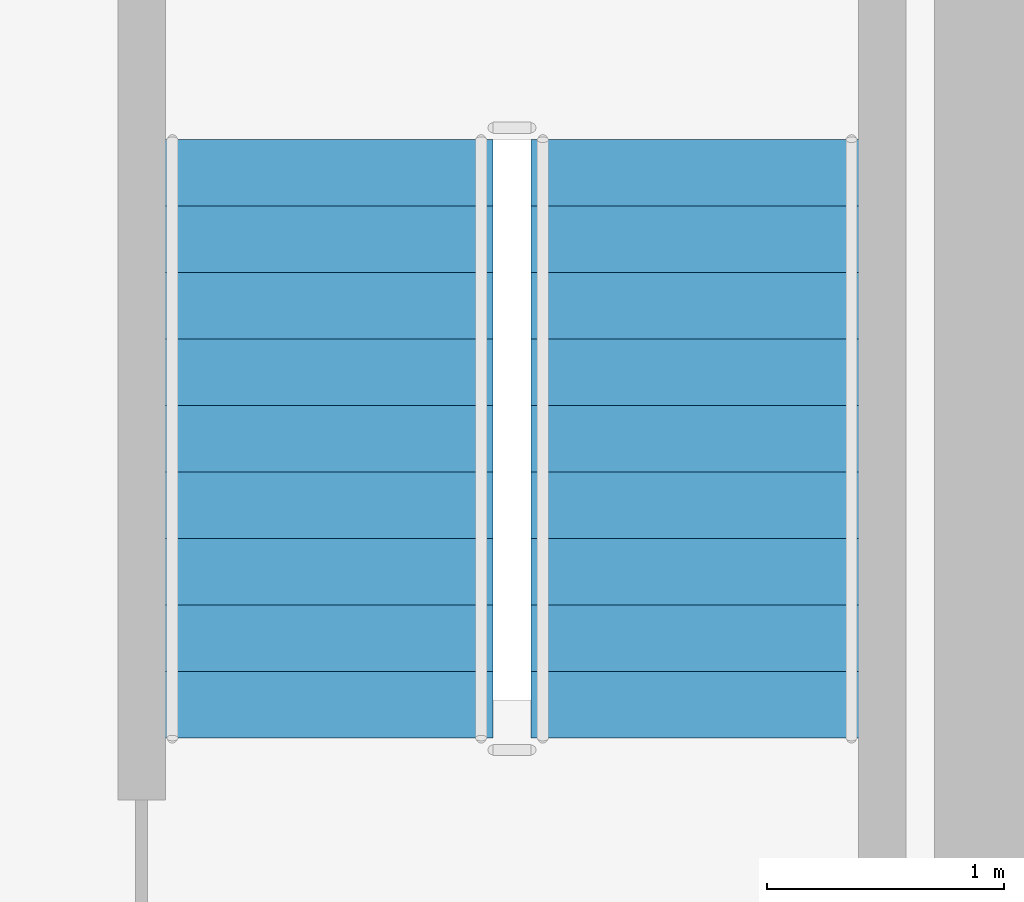
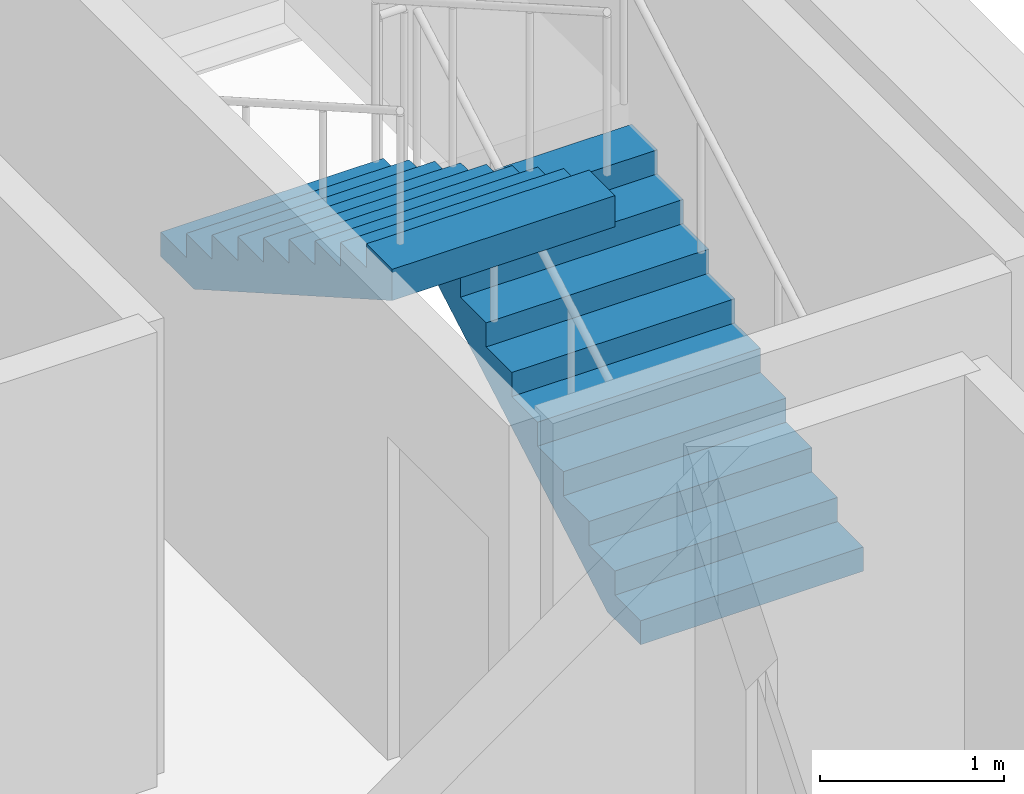
# One storey, part 7 of 11: 2 stair flights, 1 element without a shape of its own.
"""IFC4 building model written with IfcOpenShell, lengths in metres."""

from ifc_helpers import new_model, si_unit, direction, frame, origin, place, context, subcontext, project, spatial, polyline, outline, extrude, material, type_object, element, aggregate, save


model = new_model("IFC4")

# Units and contexts
model_context = context("Model", 3, precision=1e-05, world=origin(), true_north=direction((0.0, 1.0)))
body_context = subcontext(model_context, "Body", "Model", "MODEL_VIEW")
ifc_project = project(units=[si_unit("LENGTHUNIT", "METRE"), si_unit("AREAUNIT", "SQUARE_METRE"), si_unit("VOLUMEUNIT", "CUBIC_METRE"), si_unit("PLANEANGLEUNIT", "RADIAN"), si_unit("MASSUNIT", "GRAM", prefix="KILO")], contexts=[model_context])

# Site, building, storey
site_placement = place(None, origin())
site = spatial("IfcSite", under=ifc_project, at=site_placement, CompositionType="ELEMENT")
building_placement = place(site_placement, origin())
building = spatial("IfcBuilding", under=site, at=building_placement, Name="Kuzgunbayir Cultural Tower", CompositionType="ELEMENT")
storey_placement = place(building_placement, frame((0.0, 0.0, 86.60009765625)))
storey = spatial("IfcBuildingStorey", under=building, at=storey_placement, Name="L24", CompositionType="ELEMENT", Elevation=86.60009765625)

# Stair, stair flights
ifc_material = material(Name="Concrete C40/50", Category="concrete")
stair_type = type_object("IfcStairType", Name="STR-EXIT-CORE", PredefinedType="HALF_TURN_STAIR", material=ifc_material)
stair_placement = place(storey_placement, origin())
stair = element("IfcStair", 1, at=stair_placement, inside=storey, type_object=stair_type, Name="L24 ST-4", PredefinedType="HALF_TURN_STAIR")
stair_flight_type = type_object("IfcStairFlightType", Name="STRF-RC-140", PredefinedType="STRAIGHT", material=ifc_material)
stair_flight_1_placement = place(storey_placement, frame((71.10009765625, 35.5, 0.0), z_axis=(0.0, 0.0, 1.0), x_axis=(0.0, 1.0, 0.0)))
stair_flight_1 = element("IfcStairFlight", 2, at=stair_flight_1_placement, type_object=stair_flight_type, Name="ST-4 flight 1", NumberOfRisers=10, NumberOfTreads=9, PredefinedType="STRAIGHT", RiserHeight=0.16, TreadLength=0.28, context=body_context, shape_type="SweptSolid", body=[
    extrude(outline(polyline([(0.0, 0.0), (0.0, 0.159912109375), (0.280029296875, 0.159912109375), (0.280029296875, 0.320068359375), (0.56005859375, 0.320068359375), (0.56005859375, 0.47998046875), (0.840087890625, 0.47998046875), (0.840087890625, 0.639892578125), (1.1201171875, 0.639892578125), (1.1201171875, 0.800048828125), (1.39990234375, 0.800048828125), (1.39990234375, 0.9599609375), (1.679931640625, 0.9599609375), (1.679931640625, 1.1201171875), (1.9599609375, 1.1201171875), (1.9599609375, 1.280029296875), (2.239990234375, 1.280029296875), (2.239990234375, 1.43994140625), (2.52001953125, 1.43994140625), (2.52001953125, 1.60009765625), (2.52001953125, 1.232666015625), (0.362548828125, 0.0), (0.0, 0.0)])), frame((0.0, 0.699951171875, 0.0), z_axis=(0.0, -1.0, 0.0), x_axis=(1.0, 0.0, 0.0)), (0.0, 0.0, 1.0), 1.39990234375),
])
stair_flight_2_placement = place(storey_placement, frame((69.5400390625, 38.02001953125, 1.599853515625), z_axis=(0.0, 0.0, 1.0), x_axis=(0.0, -1.0, 0.0)))
stair_flight_2 = element("IfcStairFlight", 3, at=stair_flight_2_placement, type_object=stair_flight_type, Name="ST-4 flight 2", NumberOfRisers=10, NumberOfTreads=9, PredefinedType="STRAIGHT", RiserHeight=0.16, TreadLength=0.28, context=body_context, shape_type="SweptSolid", body=[
    extrude(outline(polyline([(0.0, 0.0), (0.0, 0.159912109375), (0.280029296875, 0.159912109375), (0.280029296875, 0.320068359375), (0.56005859375, 0.320068359375), (0.56005859375, 0.47998046875), (0.840087890625, 0.47998046875), (0.840087890625, 0.639892578125), (1.1201171875, 0.639892578125), (1.1201171875, 0.800048828125), (1.39990234375, 0.800048828125), (1.39990234375, 0.9599609375), (1.679931640625, 0.9599609375), (1.679931640625, 1.1201171875), (1.9599609375, 1.1201171875), (1.9599609375, 1.280029296875), (2.239990234375, 1.280029296875), (2.239990234375, 1.43994140625), (2.52001953125, 1.43994140625), (2.52001953125, 1.60009765625), (2.52001953125, 1.232666015625), (0.362548828125, 0.0), (0.0, 0.0)])), frame((0.0, 0.699951171875, 0.0), z_axis=(0.0, -1.0, 0.0), x_axis=(1.0, 0.0, 0.0)), (0.0, 0.0, 1.0), 1.39990234375),
])
aggregate(stair, [stair_flight_1, stair_flight_2])

save(model, "model.ifc")
